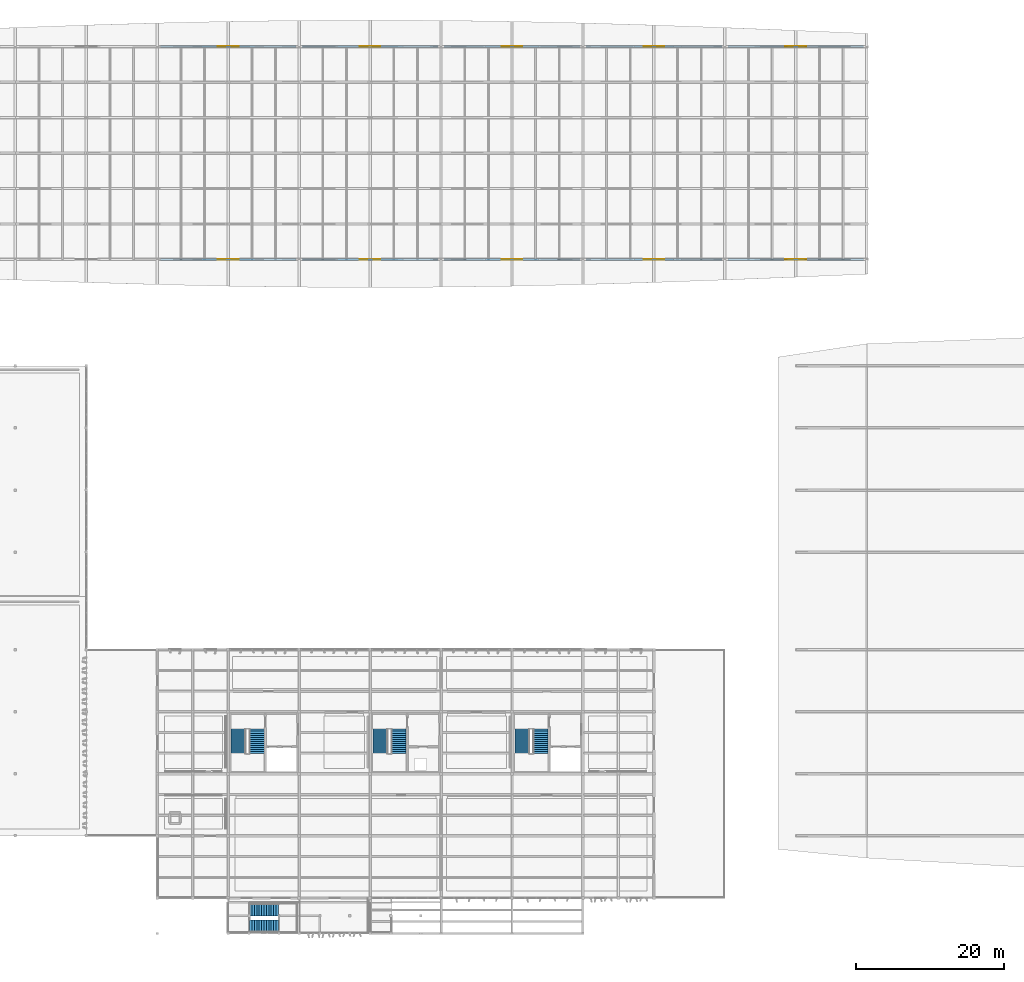
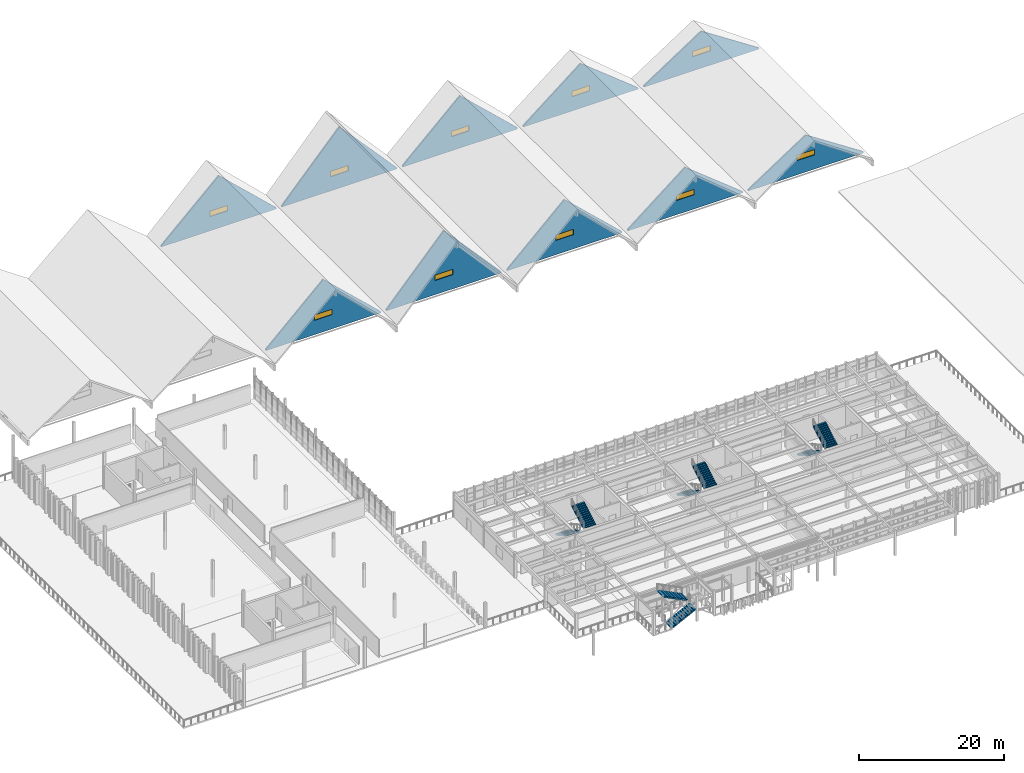
# One storey, part 34 of 42: 10 walls, 10 windows, 8 stair flights, 10 openings, 4 elements without a shape of their own.
"""IFC4 building model written with IfcOpenShell, lengths in metres."""

from ifc_helpers import new_model, si_unit, direction, frame, frame_2d, origin, place, context, subcontext, project, spatial, polyline, rectangle, outline, extrude, material, layer, layer_set, type_object, element, fill, aggregate, save


model = new_model("IFC4")

# Units and contexts
model_context = context("Model", 3, precision=1e-05, world=origin(), true_north=direction((0.0, 1.0)))
body_context = subcontext(model_context, "Body", "Model", "MODEL_VIEW")
ifc_project = project(units=[si_unit("LENGTHUNIT", "METRE"), si_unit("AREAUNIT", "SQUARE_METRE"), si_unit("VOLUMEUNIT", "CUBIC_METRE"), si_unit("PLANEANGLEUNIT", "RADIAN"), si_unit("MASSUNIT", "GRAM", prefix="KILO")], contexts=[model_context])

# Site, building, storey
site_placement = place(None, origin())
site = spatial("IfcSite", under=ifc_project, at=site_placement, CompositionType="ELEMENT")
building_placement = place(site_placement, origin())
building = spatial("IfcBuilding", under=site, at=building_placement, Name="Kolvemor Railside Polytechnic", CompositionType="ELEMENT")
storey_placement = place(building_placement, frame((0.0, 0.0, 14.39990234375)))
storey = spatial("IfcBuildingStorey", under=building, at=storey_placement, Name="L03", CompositionType="ELEMENT", Elevation=14.39990234375)

# Wall, opening, window
ifc_material_1 = material(Name="Cross-laminated timber CLT E1", Category="wood")
ifc_layer = layer(ifc_material_1, 0.22998046875, Name="WL-EXT-GABLE")
ifc_layer_set = layer_set([ifc_layer], Name="Cross-laminated timber CLT E1")
wall_type = type_object("IfcWallType", Name="WL-EXT-GABLE", PredefinedType="SOLIDWALL", material=ifc_layer_set)
wall_1_placement = place(storey_placement, frame((58.050048828125, 120.0, -4.199951171875), z_axis=(0.0, 0.0, 1.0), x_axis=(1.0, 0.0, 0.0)))
wall_1 = element("IfcWall", 1, at=wall_1_placement, inside=storey, type_object=wall_type, Name="Folded-Plate Gable Clerestory Wall N-3", PredefinedType="SOLIDWALL", context=body_context, shape_type="SweptSolid", body=[
    extrude(outline(polyline([(0.0, 0.0), (18.300048828125, 0.0), (18.300048828125, 0.199951171875), (9.14990234375, 8.800048828125), (0.0, 0.199951171875), (0.0, 0.0)])), frame((0.0, 0.114990234375, 0.0), z_axis=(0.0, -1.0, 0.0), x_axis=(1.0, 0.0, 0.0)), (0.0, 0.0, 1.0), 0.22998046875),
])
opening_1_placement = place(wall_1_placement, frame((7.75, 0.0, 2.39990234375)))
opening_1 = element("IfcOpeningElement", 2, at=opening_1_placement, cuts=wall_1, Name="Opening WN-CLR2", PredefinedType="OPENING", context=body_context, shape_type="SweptSolid", body=[
    extrude(rectangle(XDim=2.800048828125, YDim=0.89990234375, at=frame_2d((1.39990234375, 0.449951171875))), frame((0.0, 0.125, 0.0), z_axis=(0.0, -1.0, 0.0), x_axis=(1.0, 0.0, 0.0)), (0.0, 0.0, 1.0), 0.25),
])
ifc_material_2 = material(Name="Hurricane-laminated thermally broken aluminium window", Category="aluminium")
window_type = type_object("IfcWindowType", Name="WN-CLR-280x090", PartitioningType="DOUBLE_PANEL_VERTICAL", PredefinedType="WINDOW", material=ifc_material_2)
window_1_placement = place(opening_1_placement, origin())
window_1 = element("IfcWindow", 3, at=window_1_placement, inside=storey, type_object=window_type, Name="Folded-Plate Gable Clerestory Window N-3", OverallHeight=0.89990234375, OverallWidth=2.800048828125, PartitioningType="SINGLE_PANEL", PredefinedType="WINDOW", context=body_context, shape_type="SweptSolid", body=[
    extrude(rectangle(XDim=2.800048828125, YDim=0.89990234375, at=frame_2d((1.39990234375, 0.449951171875))), frame((0.0, 0.030029296875, 0.0), z_axis=(0.0, -1.0, 0.0), x_axis=(1.0, 0.0, 0.0)), (0.0, 0.0, 1.0), 0.06005859375),
])
fill(opening_1, window_1)

wall_2_placement = place(storey_placement, frame((58.050048828125, 91.199951171875, -4.199951171875), z_axis=(0.0, 0.0, 1.0), x_axis=(1.0, 0.0, 0.0)))
wall_2 = element("IfcWall", 4, at=wall_2_placement, inside=storey, type_object=wall_type, Name="Folded-Plate Gable Clerestory Wall S-3", PredefinedType="SOLIDWALL", context=body_context, shape_type="SweptSolid", body=[
    extrude(outline(polyline([(0.0, 0.0), (18.300048828125, 0.0), (18.300048828125, 0.199951171875), (9.14990234375, 8.800048828125), (0.0, 0.199951171875), (0.0, 0.0)])), frame((0.0, 0.114990234375, 0.0), z_axis=(0.0, -1.0, 0.0), x_axis=(1.0, 0.0, 0.0)), (0.0, 0.0, 1.0), 0.22998046875),
])
opening_2_placement = place(wall_2_placement, frame((7.75, 0.0, 2.39990234375)))
opening_2 = element("IfcOpeningElement", 5, at=opening_2_placement, cuts=wall_2, Name="Opening WN-CLR2", PredefinedType="OPENING", context=body_context, shape_type="SweptSolid", body=[
    extrude(rectangle(XDim=2.800048828125, YDim=0.89990234375, at=frame_2d((1.39990234375, 0.449951171875))), frame((0.0, 0.125, 0.0), z_axis=(0.0, -1.0, 0.0), x_axis=(1.0, 0.0, 0.0)), (0.0, 0.0, 1.0), 0.25),
])
window_2_placement = place(opening_2_placement, origin())
window_2 = element("IfcWindow", 6, at=window_2_placement, inside=storey, type_object=window_type, Name="Folded-Plate Gable Clerestory Window S-3", OverallHeight=0.89990234375, OverallWidth=2.800048828125, PartitioningType="SINGLE_PANEL", PredefinedType="WINDOW", context=body_context, shape_type="SweptSolid", body=[
    extrude(rectangle(XDim=2.800048828125, YDim=0.89990234375, at=frame_2d((1.39990234375, 0.449951171875))), frame((0.0, 0.030029296875, 0.0), z_axis=(0.0, -1.0, 0.0), x_axis=(1.0, 0.0, 0.0)), (0.0, 0.0, 1.0), 0.06005859375),
])
fill(opening_2, window_2)

wall_3_placement = place(storey_placement, frame((77.25, 120.0, -4.199951171875), z_axis=(0.0, 0.0, 1.0), x_axis=(1.0, 0.0, 0.0)))
wall_3 = element("IfcWall", 7, at=wall_3_placement, inside=storey, type_object=wall_type, Name="Folded-Plate Gable Clerestory Wall N-4", PredefinedType="SOLIDWALL", context=body_context, shape_type="SweptSolid", body=[
    extrude(outline(polyline([(0.0, 0.0), (18.300048828125, 0.0), (18.300048828125, 0.199951171875), (9.14990234375, 10.300048828125), (0.0, 0.199951171875), (0.0, 0.0)])), frame((0.0, 0.114990234375, 0.0), z_axis=(0.0, -1.0, 0.0), x_axis=(1.0, 0.0, 0.0)), (0.0, 0.0, 1.0), 0.22998046875),
])
opening_3_placement = place(wall_3_placement, frame((7.75, 0.0, 2.39990234375)))
opening_3 = element("IfcOpeningElement", 8, at=opening_3_placement, cuts=wall_3, Name="Opening WN-CLR2", PredefinedType="OPENING", context=body_context, shape_type="SweptSolid", body=[
    extrude(rectangle(XDim=2.800048828125, YDim=0.89990234375, at=frame_2d((1.39990234375, 0.449951171875))), frame((0.0, 0.125, 0.0), z_axis=(0.0, -1.0, 0.0), x_axis=(1.0, 0.0, 0.0)), (0.0, 0.0, 1.0), 0.25),
])
window_3_placement = place(opening_3_placement, origin())
window_3 = element("IfcWindow", 9, at=window_3_placement, inside=storey, type_object=window_type, Name="Folded-Plate Gable Clerestory Window N-4", OverallHeight=0.89990234375, OverallWidth=2.800048828125, PartitioningType="SINGLE_PANEL", PredefinedType="WINDOW", context=body_context, shape_type="SweptSolid", body=[
    extrude(rectangle(XDim=2.800048828125, YDim=0.89990234375, at=frame_2d((1.39990234375, 0.449951171875))), frame((0.0, 0.030029296875, 0.0), z_axis=(0.0, -1.0, 0.0), x_axis=(1.0, 0.0, 0.0)), (0.0, 0.0, 1.0), 0.06005859375),
])
fill(opening_3, window_3)

wall_4_placement = place(storey_placement, frame((77.25, 91.199951171875, -4.199951171875), z_axis=(0.0, 0.0, 1.0), x_axis=(1.0, 0.0, 0.0)))
wall_4 = element("IfcWall", 10, at=wall_4_placement, inside=storey, type_object=wall_type, Name="Folded-Plate Gable Clerestory Wall S-4", PredefinedType="SOLIDWALL", context=body_context, shape_type="SweptSolid", body=[
    extrude(outline(polyline([(0.0, 0.0), (18.300048828125, 0.0), (18.300048828125, 0.199951171875), (9.14990234375, 10.300048828125), (0.0, 0.199951171875), (0.0, 0.0)])), frame((0.0, 0.114990234375, 0.0), z_axis=(0.0, -1.0, 0.0), x_axis=(1.0, 0.0, 0.0)), (0.0, 0.0, 1.0), 0.22998046875),
])
opening_4_placement = place(wall_4_placement, frame((7.75, 0.0, 2.39990234375)))
opening_4 = element("IfcOpeningElement", 11, at=opening_4_placement, cuts=wall_4, Name="Opening WN-CLR2", PredefinedType="OPENING", context=body_context, shape_type="SweptSolid", body=[
    extrude(rectangle(XDim=2.800048828125, YDim=0.89990234375, at=frame_2d((1.39990234375, 0.449951171875))), frame((0.0, 0.125, 0.0), z_axis=(0.0, -1.0, 0.0), x_axis=(1.0, 0.0, 0.0)), (0.0, 0.0, 1.0), 0.25),
])
window_4_placement = place(opening_4_placement, origin())
window_4 = element("IfcWindow", 12, at=window_4_placement, inside=storey, type_object=window_type, Name="Folded-Plate Gable Clerestory Window S-4", OverallHeight=0.89990234375, OverallWidth=2.800048828125, PartitioningType="SINGLE_PANEL", PredefinedType="WINDOW", context=body_context, shape_type="SweptSolid", body=[
    extrude(rectangle(XDim=2.800048828125, YDim=0.89990234375, at=frame_2d((1.39990234375, 0.449951171875))), frame((0.0, 0.030029296875, 0.0), z_axis=(0.0, -1.0, 0.0), x_axis=(1.0, 0.0, 0.0)), (0.0, 0.0, 1.0), 0.06005859375),
])
fill(opening_4, window_4)

wall_5_placement = place(storey_placement, frame((96.449951171875, 120.0, -4.199951171875), z_axis=(0.0, 0.0, 1.0), x_axis=(1.0, 0.0, 0.0)))
wall_5 = element("IfcWall", 13, at=wall_5_placement, inside=storey, type_object=wall_type, Name="Folded-Plate Gable Clerestory Wall N-5", PredefinedType="SOLIDWALL", context=body_context, shape_type="SweptSolid", body=[
    extrude(outline(polyline([(0.0, 0.0), (18.300048828125, 0.0), (18.300048828125, 0.199951171875), (9.14990234375, 8.800048828125), (0.0, 0.199951171875), (0.0, 0.0)])), frame((0.0, 0.114990234375, 0.0), z_axis=(0.0, -1.0, 0.0), x_axis=(1.0, 0.0, 0.0)), (0.0, 0.0, 1.0), 0.22998046875),
])
opening_5_placement = place(wall_5_placement, frame((7.75, 0.0, 2.39990234375)))
opening_5 = element("IfcOpeningElement", 14, at=opening_5_placement, cuts=wall_5, Name="Opening WN-CLR2", PredefinedType="OPENING", context=body_context, shape_type="SweptSolid", body=[
    extrude(rectangle(XDim=2.800048828125, YDim=0.89990234375, at=frame_2d((1.39990234375, 0.449951171875))), frame((0.0, 0.125, 0.0), z_axis=(0.0, -1.0, 0.0), x_axis=(1.0, 0.0, 0.0)), (0.0, 0.0, 1.0), 0.25),
])
window_5_placement = place(opening_5_placement, origin())
window_5 = element("IfcWindow", 15, at=window_5_placement, inside=storey, type_object=window_type, Name="Folded-Plate Gable Clerestory Window N-5", OverallHeight=0.89990234375, OverallWidth=2.800048828125, PartitioningType="SINGLE_PANEL", PredefinedType="WINDOW", context=body_context, shape_type="SweptSolid", body=[
    extrude(rectangle(XDim=2.800048828125, YDim=0.89990234375, at=frame_2d((1.39990234375, 0.449951171875))), frame((0.0, 0.030029296875, 0.0), z_axis=(0.0, -1.0, 0.0), x_axis=(1.0, 0.0, 0.0)), (0.0, 0.0, 1.0), 0.06005859375),
])
fill(opening_5, window_5)

wall_6_placement = place(storey_placement, frame((96.449951171875, 91.199951171875, -4.199951171875), z_axis=(0.0, 0.0, 1.0), x_axis=(1.0, 0.0, 0.0)))
wall_6 = element("IfcWall", 16, at=wall_6_placement, inside=storey, type_object=wall_type, Name="Folded-Plate Gable Clerestory Wall S-5", PredefinedType="SOLIDWALL", context=body_context, shape_type="SweptSolid", body=[
    extrude(outline(polyline([(0.0, 0.0), (18.300048828125, 0.0), (18.300048828125, 0.199951171875), (9.14990234375, 8.800048828125), (0.0, 0.199951171875), (0.0, 0.0)])), frame((0.0, 0.114990234375, 0.0), z_axis=(0.0, -1.0, 0.0), x_axis=(1.0, 0.0, 0.0)), (0.0, 0.0, 1.0), 0.22998046875),
])
opening_6_placement = place(wall_6_placement, frame((7.75, 0.0, 2.39990234375)))
opening_6 = element("IfcOpeningElement", 17, at=opening_6_placement, cuts=wall_6, Name="Opening WN-CLR2", PredefinedType="OPENING", context=body_context, shape_type="SweptSolid", body=[
    extrude(rectangle(XDim=2.800048828125, YDim=0.89990234375, at=frame_2d((1.39990234375, 0.449951171875))), frame((0.0, 0.125, 0.0), z_axis=(0.0, -1.0, 0.0), x_axis=(1.0, 0.0, 0.0)), (0.0, 0.0, 1.0), 0.25),
])
window_6_placement = place(opening_6_placement, origin())
window_6 = element("IfcWindow", 18, at=window_6_placement, inside=storey, type_object=window_type, Name="Folded-Plate Gable Clerestory Window S-5", OverallHeight=0.89990234375, OverallWidth=2.800048828125, PartitioningType="SINGLE_PANEL", PredefinedType="WINDOW", context=body_context, shape_type="SweptSolid", body=[
    extrude(rectangle(XDim=2.800048828125, YDim=0.89990234375, at=frame_2d((1.39990234375, 0.449951171875))), frame((0.0, 0.030029296875, 0.0), z_axis=(0.0, -1.0, 0.0), x_axis=(1.0, 0.0, 0.0)), (0.0, 0.0, 1.0), 0.06005859375),
])
fill(opening_6, window_6)

wall_7_placement = place(storey_placement, frame((115.64990234375, 120.0, -4.199951171875), z_axis=(0.0, 0.0, 1.0), x_axis=(1.0, 0.0, 0.0)))
wall_7 = element("IfcWall", 19, at=wall_7_placement, inside=storey, type_object=wall_type, Name="Folded-Plate Gable Clerestory Wall N-6", PredefinedType="SOLIDWALL", context=body_context, shape_type="SweptSolid", body=[
    extrude(outline(polyline([(0.0, 0.0), (18.300048828125, 0.0), (18.300048828125, 0.199951171875), (9.14990234375, 7.5), (0.0, 0.199951171875), (0.0, 0.0)])), frame((0.0, 0.114990234375, 0.0), z_axis=(0.0, -1.0, 0.0), x_axis=(1.0, 0.0, 0.0)), (0.0, 0.0, 1.0), 0.22998046875),
])
opening_7_placement = place(wall_7_placement, frame((7.75, 0.0, 2.39990234375)))
opening_7 = element("IfcOpeningElement", 20, at=opening_7_placement, cuts=wall_7, Name="Opening WN-CLR2", PredefinedType="OPENING", context=body_context, shape_type="SweptSolid", body=[
    extrude(rectangle(XDim=2.800048828125, YDim=0.89990234375, at=frame_2d((1.39990234375, 0.449951171875))), frame((0.0, 0.125, 0.0), z_axis=(0.0, -1.0, 0.0), x_axis=(1.0, 0.0, 0.0)), (0.0, 0.0, 1.0), 0.25),
])
window_7_placement = place(opening_7_placement, origin())
window_7 = element("IfcWindow", 21, at=window_7_placement, inside=storey, type_object=window_type, Name="Folded-Plate Gable Clerestory Window N-6", OverallHeight=0.89990234375, OverallWidth=2.800048828125, PartitioningType="SINGLE_PANEL", PredefinedType="WINDOW", context=body_context, shape_type="SweptSolid", body=[
    extrude(rectangle(XDim=2.800048828125, YDim=0.89990234375, at=frame_2d((1.39990234375, 0.449951171875))), frame((0.0, 0.030029296875, 0.0), z_axis=(0.0, -1.0, 0.0), x_axis=(1.0, 0.0, 0.0)), (0.0, 0.0, 1.0), 0.06005859375),
])
fill(opening_7, window_7)

wall_8_placement = place(storey_placement, frame((115.64990234375, 91.199951171875, -4.199951171875), z_axis=(0.0, 0.0, 1.0), x_axis=(1.0, 0.0, 0.0)))
wall_8 = element("IfcWall", 22, at=wall_8_placement, inside=storey, type_object=wall_type, Name="Folded-Plate Gable Clerestory Wall S-6", PredefinedType="SOLIDWALL", context=body_context, shape_type="SweptSolid", body=[
    extrude(outline(polyline([(0.0, 0.0), (18.300048828125, 0.0), (18.300048828125, 0.199951171875), (9.14990234375, 7.5), (0.0, 0.199951171875), (0.0, 0.0)])), frame((0.0, 0.114990234375, 0.0), z_axis=(0.0, -1.0, 0.0), x_axis=(1.0, 0.0, 0.0)), (0.0, 0.0, 1.0), 0.22998046875),
])
opening_8_placement = place(wall_8_placement, frame((7.75, 0.0, 2.39990234375)))
opening_8 = element("IfcOpeningElement", 23, at=opening_8_placement, cuts=wall_8, Name="Opening WN-CLR2", PredefinedType="OPENING", context=body_context, shape_type="SweptSolid", body=[
    extrude(rectangle(XDim=2.800048828125, YDim=0.89990234375, at=frame_2d((1.39990234375, 0.449951171875))), frame((0.0, 0.125, 0.0), z_axis=(0.0, -1.0, 0.0), x_axis=(1.0, 0.0, 0.0)), (0.0, 0.0, 1.0), 0.25),
])
window_8_placement = place(opening_8_placement, origin())
window_8 = element("IfcWindow", 24, at=window_8_placement, inside=storey, type_object=window_type, Name="Folded-Plate Gable Clerestory Window S-6", OverallHeight=0.89990234375, OverallWidth=2.800048828125, PartitioningType="SINGLE_PANEL", PredefinedType="WINDOW", context=body_context, shape_type="SweptSolid", body=[
    extrude(rectangle(XDim=2.800048828125, YDim=0.89990234375, at=frame_2d((1.39990234375, 0.449951171875))), frame((0.0, 0.030029296875, 0.0), z_axis=(0.0, -1.0, 0.0), x_axis=(1.0, 0.0, 0.0)), (0.0, 0.0, 1.0), 0.06005859375),
])
fill(opening_8, window_8)

wall_9_placement = place(storey_placement, frame((134.85009765625, 120.0, -4.199951171875), z_axis=(0.0, 0.0, 1.0), x_axis=(1.0, 0.0, 0.0)))
wall_9 = element("IfcWall", 25, at=wall_9_placement, inside=storey, type_object=wall_type, Name="Folded-Plate Gable Clerestory Wall N-7", PredefinedType="SOLIDWALL", context=body_context, shape_type="SweptSolid", body=[
    extrude(outline(polyline([(0.0, 0.0), (18.2998046875, 0.0), (18.300048828125, 0.199951171875), (9.14990234375, 6.199951171875), (0.0, 0.199951171875), (0.0, 0.0)])), frame((0.0, 0.114990234375, 0.0), z_axis=(0.0, -1.0, 0.0), x_axis=(1.0, 0.0, 0.0)), (0.0, 0.0, 1.0), 0.22998046875),
])
opening_9_placement = place(wall_9_placement, frame((7.75, 0.0, 2.39990234375)))
opening_9 = element("IfcOpeningElement", 26, at=opening_9_placement, cuts=wall_9, Name="Opening WN-CLR2", PredefinedType="OPENING", context=body_context, shape_type="SweptSolid", body=[
    extrude(rectangle(XDim=2.800048828125, YDim=0.89990234375, at=frame_2d((1.39990234375, 0.449951171875))), frame((0.0, 0.125, 0.0), z_axis=(0.0, -1.0, 0.0), x_axis=(1.0, 0.0, 0.0)), (0.0, 0.0, 1.0), 0.25),
])
window_9_placement = place(opening_9_placement, origin())
window_9 = element("IfcWindow", 27, at=window_9_placement, inside=storey, type_object=window_type, Name="Folded-Plate Gable Clerestory Window N-7", OverallHeight=0.89990234375, OverallWidth=2.800048828125, PartitioningType="SINGLE_PANEL", PredefinedType="WINDOW", context=body_context, shape_type="SweptSolid", body=[
    extrude(rectangle(XDim=2.800048828125, YDim=0.89990234375, at=frame_2d((1.39990234375, 0.449951171875))), frame((0.0, 0.030029296875, 0.0), z_axis=(0.0, -1.0, 0.0), x_axis=(1.0, 0.0, 0.0)), (0.0, 0.0, 1.0), 0.06005859375),
])
fill(opening_9, window_9)

wall_10_placement = place(storey_placement, frame((134.85009765625, 91.199951171875, -4.199951171875), z_axis=(0.0, 0.0, 1.0), x_axis=(1.0, 0.0, 0.0)))
wall_10 = element("IfcWall", 28, at=wall_10_placement, inside=storey, type_object=wall_type, Name="Folded-Plate Gable Clerestory Wall S-7", PredefinedType="SOLIDWALL", context=body_context, shape_type="SweptSolid", body=[
    extrude(outline(polyline([(0.0, 0.0), (18.2998046875, 0.0), (18.300048828125, 0.199951171875), (9.14990234375, 6.199951171875), (0.0, 0.199951171875), (0.0, 0.0)])), frame((0.0, 0.114990234375, 0.0), z_axis=(0.0, -1.0, 0.0), x_axis=(1.0, 0.0, 0.0)), (0.0, 0.0, 1.0), 0.22998046875),
])
opening_10_placement = place(wall_10_placement, frame((7.75, 0.0, 2.39990234375)))
opening_10 = element("IfcOpeningElement", 29, at=opening_10_placement, cuts=wall_10, Name="Opening WN-CLR2", PredefinedType="OPENING", context=body_context, shape_type="SweptSolid", body=[
    extrude(rectangle(XDim=2.800048828125, YDim=0.89990234375, at=frame_2d((1.39990234375, 0.449951171875))), frame((0.0, 0.125, 0.0), z_axis=(0.0, -1.0, 0.0), x_axis=(1.0, 0.0, 0.0)), (0.0, 0.0, 1.0), 0.25),
])
window_10_placement = place(opening_10_placement, origin())
window_10 = element("IfcWindow", 30, at=window_10_placement, inside=storey, type_object=window_type, Name="Folded-Plate Gable Clerestory Window S-7", OverallHeight=0.89990234375, OverallWidth=2.800048828125, PartitioningType="SINGLE_PANEL", PredefinedType="WINDOW", context=body_context, shape_type="SweptSolid", body=[
    extrude(rectangle(XDim=2.800048828125, YDim=0.89990234375, at=frame_2d((1.39990234375, 0.449951171875))), frame((0.0, 0.030029296875, 0.0), z_axis=(0.0, -1.0, 0.0), x_axis=(1.0, 0.0, 0.0)), (0.0, 0.0, 1.0), 0.06005859375),
])
fill(opening_10, window_10)

# Stair, stair flights
ifc_material_3 = material(Name="Concrete C40/50", Category="concrete")
stair_type_1 = type_object("IfcStairType", Name="STR-CORE-420", PredefinedType="HALF_TURN_STAIR", material=ifc_material_3)
stair_1_placement = place(storey_placement, origin())
stair_1 = element("IfcStair", 31, at=stair_1_placement, inside=storey, type_object=stair_type_1, Name="Core Stair ST-1 (L03 to L04)", PredefinedType="HALF_TURN_STAIR")
ifc_material_4 = material(Name="Concrete C40/50", Category="concrete")
stair_flight_type_1 = type_object("IfcStairFlightType", Name="SFL-RC-200", PredefinedType="STRAIGHT", material=ifc_material_4)
stair_flight_1_placement = place(storey_placement, frame((68.580078125, 27.699951171875, 0.0), z_axis=(0.0, 0.0, 1.0), x_axis=(0.0, -1.0, 0.0)))
stair_flight_1 = element("IfcStairFlight", 32, at=stair_flight_1_placement, type_object=stair_flight_type_1, Name="ST-1-L03 flight 1", NumberOfRisers=13, NumberOfTreads=12, PredefinedType="STRAIGHT", RiserHeight=0.161538462, TreadLength=0.275, context=body_context, shape_type="SweptSolid", body=[
    extrude(outline(polyline([(0.0, 0.0), (0.0, 0.16162109375), (0.27490234375, 0.16162109375), (0.27490234375, 0.322998046875), (0.550048828125, 0.322998046875), (0.550048828125, 0.484619140625), (0.824951171875, 0.484619140625), (0.824951171875, 0.646240234375), (1.10009765625, 0.646240234375), (1.10009765625, 0.8076171875), (1.375, 0.8076171875), (1.375, 0.96923828125), (1.64990234375, 0.96923828125), (1.64990234375, 1.130859375), (1.925048828125, 1.130859375), (1.925048828125, 1.292236328125), (2.199951171875, 1.292236328125), (2.199951171875, 1.453857421875), (2.47509765625, 1.453857421875), (2.47509765625, 1.615478515625), (2.75, 1.615478515625), (2.75, 1.77685546875), (3.02490234375, 1.77685546875), (3.02490234375, 1.9384765625), (3.300048828125, 1.9384765625), (3.300048828125, 2.10009765625), (3.300048828125, 1.729736328125), (0.355224609375, 0.0), (0.0, 0.0)])), frame((0.0, 1.0, 0.0), z_axis=(0.0, -1.0, 0.0), x_axis=(1.0, 0.0, 0.0)), (0.0, 0.0, 1.0), 2.0),
])
stair_flight_2_placement = place(storey_placement, frame((71.080078125, 24.340087890625, 2.10009765625), z_axis=(0.0, 0.0, 1.0), x_axis=(0.0, 1.0, 0.0)))
stair_flight_2 = element("IfcStairFlight", 33, at=stair_flight_2_placement, type_object=stair_flight_type_1, Name="ST-1-L03 flight 2", NumberOfRisers=13, NumberOfTreads=12, PredefinedType="STRAIGHT", RiserHeight=0.161538462, TreadLength=0.275, context=body_context, shape_type="SweptSolid", body=[
    extrude(outline(polyline([(0.0, 0.0), (0.0, 0.16162109375), (0.27490234375, 0.16162109375), (0.27490234375, 0.322998046875), (0.550048828125, 0.322998046875), (0.550048828125, 0.484619140625), (0.824951171875, 0.484619140625), (0.824951171875, 0.646240234375), (1.10009765625, 0.646240234375), (1.10009765625, 0.8076171875), (1.375, 0.8076171875), (1.375, 0.96923828125), (1.64990234375, 0.96923828125), (1.64990234375, 1.130859375), (1.925048828125, 1.130859375), (1.925048828125, 1.292236328125), (2.199951171875, 1.292236328125), (2.199951171875, 1.453857421875), (2.47509765625, 1.453857421875), (2.47509765625, 1.615478515625), (2.75, 1.615478515625), (2.75, 1.77685546875), (3.02490234375, 1.77685546875), (3.02490234375, 1.9384765625), (3.300048828125, 1.9384765625), (3.300048828125, 2.10009765625), (3.300048828125, 1.729736328125), (0.355224609375, 0.0), (0.0, 0.0)])), frame((0.0, 1.0, 0.0), z_axis=(0.0, -1.0, 0.0), x_axis=(1.0, 0.0, 0.0)), (0.0, 0.0, 1.0), 2.0),
])
aggregate(stair_1, [stair_flight_1, stair_flight_2])

stair_2_placement = place(storey_placement, origin())
stair_2 = element("IfcStair", 34, at=stair_2_placement, inside=storey, type_object=stair_type_1, Name="Core Stair ST-2 (L03 to L04)", PredefinedType="HALF_TURN_STAIR")
stair_flight_3_placement = place(storey_placement, frame((106.97998046875, 27.699951171875, 0.0), z_axis=(0.0, 0.0, 1.0), x_axis=(0.0, -1.0, 0.0)))
stair_flight_3 = element("IfcStairFlight", 35, at=stair_flight_3_placement, type_object=stair_flight_type_1, Name="ST-2-L03 flight 1", NumberOfRisers=13, NumberOfTreads=12, PredefinedType="STRAIGHT", RiserHeight=0.161538462, TreadLength=0.275, context=body_context, shape_type="SweptSolid", body=[
    extrude(outline(polyline([(0.0, 0.0), (0.0, 0.16162109375), (0.27490234375, 0.16162109375), (0.27490234375, 0.322998046875), (0.550048828125, 0.322998046875), (0.550048828125, 0.484619140625), (0.824951171875, 0.484619140625), (0.824951171875, 0.646240234375), (1.10009765625, 0.646240234375), (1.10009765625, 0.8076171875), (1.375, 0.8076171875), (1.375, 0.96923828125), (1.64990234375, 0.96923828125), (1.64990234375, 1.130859375), (1.925048828125, 1.130859375), (1.925048828125, 1.292236328125), (2.199951171875, 1.292236328125), (2.199951171875, 1.453857421875), (2.47509765625, 1.453857421875), (2.47509765625, 1.615478515625), (2.75, 1.615478515625), (2.75, 1.77685546875), (3.02490234375, 1.77685546875), (3.02490234375, 1.9384765625), (3.300048828125, 1.9384765625), (3.300048828125, 2.10009765625), (3.300048828125, 1.729736328125), (0.355224609375, 0.0), (0.0, 0.0)])), frame((0.0, 1.0, 0.0), z_axis=(0.0, -1.0, 0.0), x_axis=(1.0, 0.0, 0.0)), (0.0, 0.0, 1.0), 2.0),
])
stair_flight_4_placement = place(storey_placement, frame((109.47998046875, 24.340087890625, 2.10009765625), z_axis=(0.0, 0.0, 1.0), x_axis=(0.0, 1.0, 0.0)))
stair_flight_4 = element("IfcStairFlight", 36, at=stair_flight_4_placement, type_object=stair_flight_type_1, Name="ST-2-L03 flight 2", NumberOfRisers=13, NumberOfTreads=12, PredefinedType="STRAIGHT", RiserHeight=0.161538462, TreadLength=0.275, context=body_context, shape_type="SweptSolid", body=[
    extrude(outline(polyline([(0.0, 0.0), (0.0, 0.16162109375), (0.27490234375, 0.16162109375), (0.27490234375, 0.322998046875), (0.550048828125, 0.322998046875), (0.550048828125, 0.484619140625), (0.824951171875, 0.484619140625), (0.824951171875, 0.646240234375), (1.10009765625, 0.646240234375), (1.10009765625, 0.8076171875), (1.375, 0.8076171875), (1.375, 0.96923828125), (1.64990234375, 0.96923828125), (1.64990234375, 1.130859375), (1.925048828125, 1.130859375), (1.925048828125, 1.292236328125), (2.199951171875, 1.292236328125), (2.199951171875, 1.453857421875), (2.47509765625, 1.453857421875), (2.47509765625, 1.615478515625), (2.75, 1.615478515625), (2.75, 1.77685546875), (3.02490234375, 1.77685546875), (3.02490234375, 1.9384765625), (3.300048828125, 1.9384765625), (3.300048828125, 2.10009765625), (3.300048828125, 1.729736328125), (0.355224609375, 0.0), (0.0, 0.0)])), frame((0.0, 1.0, 0.0), z_axis=(0.0, -1.0, 0.0), x_axis=(1.0, 0.0, 0.0)), (0.0, 0.0, 1.0), 2.0),
])
aggregate(stair_2, [stair_flight_3, stair_flight_4])

stair_3_placement = place(storey_placement, origin())
stair_3 = element("IfcStair", 37, at=stair_3_placement, inside=storey, type_object=stair_type_1, Name="Core Stair ST-3 (L03 to L04)", PredefinedType="HALF_TURN_STAIR")
stair_flight_5_placement = place(storey_placement, frame((87.780029296875, 27.699951171875, 0.0), z_axis=(0.0, 0.0, 1.0), x_axis=(0.0, -1.0, 0.0)))
stair_flight_5 = element("IfcStairFlight", 38, at=stair_flight_5_placement, type_object=stair_flight_type_1, Name="ST-3-L03 flight 1", NumberOfRisers=13, NumberOfTreads=12, PredefinedType="STRAIGHT", RiserHeight=0.161538462, TreadLength=0.275, context=body_context, shape_type="SweptSolid", body=[
    extrude(outline(polyline([(0.0, 0.0), (0.0, 0.16162109375), (0.27490234375, 0.16162109375), (0.27490234375, 0.322998046875), (0.550048828125, 0.322998046875), (0.550048828125, 0.484619140625), (0.824951171875, 0.484619140625), (0.824951171875, 0.646240234375), (1.10009765625, 0.646240234375), (1.10009765625, 0.8076171875), (1.375, 0.8076171875), (1.375, 0.96923828125), (1.64990234375, 0.96923828125), (1.64990234375, 1.130859375), (1.925048828125, 1.130859375), (1.925048828125, 1.292236328125), (2.199951171875, 1.292236328125), (2.199951171875, 1.453857421875), (2.47509765625, 1.453857421875), (2.47509765625, 1.615478515625), (2.75, 1.615478515625), (2.75, 1.77685546875), (3.02490234375, 1.77685546875), (3.02490234375, 1.9384765625), (3.300048828125, 1.9384765625), (3.300048828125, 2.10009765625), (3.300048828125, 1.729736328125), (0.355224609375, 0.0), (0.0, 0.0)])), frame((0.0, 1.0, 0.0), z_axis=(0.0, -1.0, 0.0), x_axis=(1.0, 0.0, 0.0)), (0.0, 0.0, 1.0), 2.0),
])
stair_flight_6_placement = place(storey_placement, frame((90.280029296875, 24.340087890625, 2.10009765625), z_axis=(0.0, 0.0, 1.0), x_axis=(0.0, 1.0, 0.0)))
stair_flight_6 = element("IfcStairFlight", 39, at=stair_flight_6_placement, type_object=stair_flight_type_1, Name="ST-3-L03 flight 2", NumberOfRisers=13, NumberOfTreads=12, PredefinedType="STRAIGHT", RiserHeight=0.161538462, TreadLength=0.275, context=body_context, shape_type="SweptSolid", body=[
    extrude(outline(polyline([(0.0, 0.0), (0.0, 0.16162109375), (0.27490234375, 0.16162109375), (0.27490234375, 0.322998046875), (0.550048828125, 0.322998046875), (0.550048828125, 0.484619140625), (0.824951171875, 0.484619140625), (0.824951171875, 0.646240234375), (1.10009765625, 0.646240234375), (1.10009765625, 0.8076171875), (1.375, 0.8076171875), (1.375, 0.96923828125), (1.64990234375, 0.96923828125), (1.64990234375, 1.130859375), (1.925048828125, 1.130859375), (1.925048828125, 1.292236328125), (2.199951171875, 1.292236328125), (2.199951171875, 1.453857421875), (2.47509765625, 1.453857421875), (2.47509765625, 1.615478515625), (2.75, 1.615478515625), (2.75, 1.77685546875), (3.02490234375, 1.77685546875), (3.02490234375, 1.9384765625), (3.300048828125, 1.9384765625), (3.300048828125, 2.10009765625), (3.300048828125, 1.729736328125), (0.355224609375, 0.0), (0.0, 0.0)])), frame((0.0, 1.0, 0.0), z_axis=(0.0, -1.0, 0.0), x_axis=(1.0, 0.0, 0.0)), (0.0, 0.0, 1.0), 2.0),
])
aggregate(stair_3, [stair_flight_5, stair_flight_6])

ifc_material_5 = material(Name="Steel S355", Category="steel")
stair_type_2 = type_object("IfcStairType", Name="STR-EXT-ZIG", PredefinedType="HALF_TURN_STAIR", material=ifc_material_5)
stair_4_placement = place(storey_placement, origin())
stair_4 = element("IfcStair", 40, at=stair_4_placement, inside=storey, type_object=stair_type_2, Name="External Zigzag Terrace Stair (L03 to L04)", PredefinedType="HALF_TURN_STAIR")
ifc_material_6 = material(Name="Steel S355", Category="steel")
stair_flight_type_2 = type_object("IfcStairFlightType", Name="SFL-ST-168", PredefinedType="STRAIGHT", material=ifc_material_6)
stair_flight_7_placement = place(storey_placement, frame((70.10009765625, 1.0, 0.0), z_axis=(0.0, 0.0, 1.0), x_axis=(1.0, 0.0, 0.0)))
stair_flight_7 = element("IfcStairFlight", 41, at=stair_flight_7_placement, type_object=stair_flight_type_2, Name="ST-EXT-L03 flight 1", NumberOfRisers=13, NumberOfTreads=12, PredefinedType="STRAIGHT", RiserHeight=0.161538462, TreadLength=0.325, context=body_context, shape_type="SweptSolid", body=[
    extrude(outline(polyline([(0.0, 0.0), (0.0, 0.16162109375), (0.324951171875, 0.16162109375), (0.324951171875, 0.322998046875), (0.64990234375, 0.322998046875), (0.64990234375, 0.484619140625), (0.97509765625, 0.484619140625), (0.97509765625, 0.646240234375), (1.300048828125, 0.646240234375), (1.300048828125, 0.8076171875), (1.625, 0.8076171875), (1.625, 0.96923828125), (1.949951171875, 0.96923828125), (1.949951171875, 1.130859375), (2.27490234375, 1.130859375), (2.27490234375, 1.292236328125), (2.60009765625, 1.292236328125), (2.60009765625, 1.453857421875), (2.925048828125, 1.453857421875), (2.925048828125, 1.615478515625), (3.25, 1.615478515625), (3.25, 1.77685546875), (3.574951171875, 1.77685546875), (3.574951171875, 1.9384765625), (3.89990234375, 1.9384765625), (3.89990234375, 2.10009765625), (3.89990234375, 1.748779296875), (0.3818359375, 0.0), (0.0, 0.0)])), frame((0.0, 0.83984375, 0.0), z_axis=(0.0, -1.0, 0.0), x_axis=(1.0, 0.0, 0.0)), (0.0, 0.0, 1.0), 1.679931640625),
])
stair_flight_8_placement = place(storey_placement, frame((74.0, 3.199951171875, 2.10009765625), z_axis=(0.0, 0.0, 1.0), x_axis=(-1.0, 0.0, 0.0)))
stair_flight_8 = element("IfcStairFlight", 42, at=stair_flight_8_placement, type_object=stair_flight_type_2, Name="ST-EXT-L03 flight 2", NumberOfRisers=13, NumberOfTreads=12, PredefinedType="STRAIGHT", RiserHeight=0.161538462, TreadLength=0.325, context=body_context, shape_type="SweptSolid", body=[
    extrude(outline(polyline([(0.0, 0.0), (0.0, 0.16162109375), (0.324951171875, 0.16162109375), (0.324951171875, 0.322998046875), (0.64990234375, 0.322998046875), (0.64990234375, 0.484619140625), (0.97509765625, 0.484619140625), (0.97509765625, 0.646240234375), (1.300048828125, 0.646240234375), (1.300048828125, 0.8076171875), (1.625, 0.8076171875), (1.625, 0.96923828125), (1.949951171875, 0.96923828125), (1.949951171875, 1.130859375), (2.27490234375, 1.130859375), (2.27490234375, 1.292236328125), (2.60009765625, 1.292236328125), (2.60009765625, 1.453857421875), (2.925048828125, 1.453857421875), (2.925048828125, 1.615478515625), (3.25, 1.615478515625), (3.25, 1.77685546875), (3.574951171875, 1.77685546875), (3.574951171875, 1.9384765625), (3.89990234375, 1.9384765625), (3.89990234375, 2.10009765625), (3.89990234375, 1.748779296875), (0.3818359375, 0.0), (0.0, 0.0)])), frame((0.0, 0.83984375, 0.0), z_axis=(0.0, -1.0, 0.0), x_axis=(1.0, 0.0, 0.0)), (0.0, 0.0, 1.0), 1.679931640625),
])
aggregate(stair_4, [stair_flight_7, stair_flight_8])

save(model, "model.ifc")
